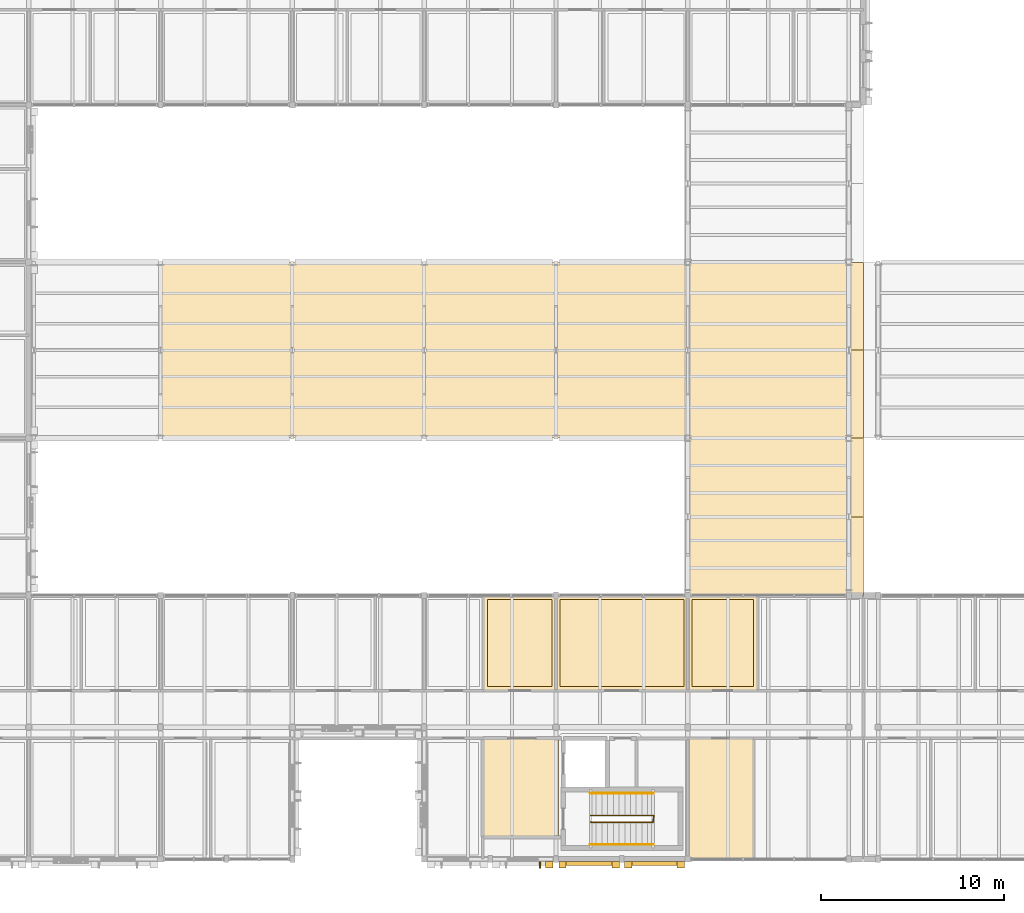
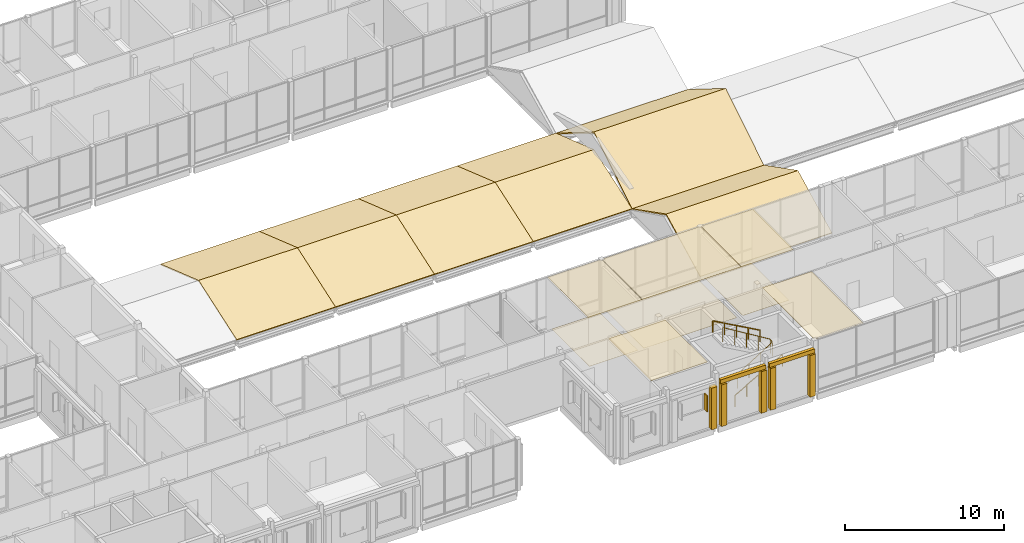
# One storey, part 106 of 115: 27 coverings, 3 railings, 1 shading device.
"""IFC4 building model written with IfcOpenShell, lengths in metres."""

from ifc_helpers import new_model, si_unit, direction, frame, origin, origin_2d, place, context, subcontext, project, spatial, polyline, rectangle, circle, outline, extrude, material, layer, layer_set, type_object, element, save


model = new_model("IFC4")

# Units and contexts
model_context = context("Model", 3, precision=1e-05, world=origin(), true_north=direction((0.0, 1.0)))
body_context = subcontext(model_context, "Body", "Model", "MODEL_VIEW")
ifc_project = project(units=[si_unit("LENGTHUNIT", "METRE"), si_unit("AREAUNIT", "SQUARE_METRE"), si_unit("VOLUMEUNIT", "CUBIC_METRE"), si_unit("PLANEANGLEUNIT", "RADIAN"), si_unit("MASSUNIT", "GRAM", prefix="KILO")], contexts=[model_context])

# Site, building, storey
site_placement = place(None, origin())
site = spatial("IfcSite", under=ifc_project, at=site_placement, CompositionType="ELEMENT")
building_placement = place(site_placement, origin())
building = spatial("IfcBuilding", under=site, at=building_placement, Name="Hawrajan Terrace Health Centre", CompositionType="ELEMENT")
storey_placement = place(building_placement, frame((0.0, 0.0, 9.0)))
storey = spatial("IfcBuildingStorey", under=building, at=storey_placement, Name="L02", CompositionType="ELEMENT", Elevation=9.0)

# Coverings
ifc_material_1 = material(Name="Precast concrete C40/50", Category="concrete")
ifc_layer_1 = layer(ifc_material_1, 0.219970703125)
ifc_layer_set_1 = layer_set([ifc_layer_1], Name="Precast concrete C40/50")
covering_type_1 = type_object("IfcCoveringType", Name="ArtDecoCorniceBand", PredefinedType="CLADDING", material=ifc_layer_set_1)
covering_1_placement = place(storey_placement, frame((56.81005859375, 3.955078125, 3.22021484375), z_axis=(0.0, 0.0, 1.0), x_axis=(1.0, 0.0, 0.0)))
element("IfcCovering", 1, at=covering_1_placement, inside=storey, type_object=covering_type_1, Name="Art Deco limestone cornice band CRN-L02-0134", PredefinedType="CLADDING", context=body_context, shape_type="SweptSolid", body=[
    extrude(rectangle(XDim=3.300048828125, YDim=0.219970703125, at=origin_2d()), origin(), (0.0, 0.0, 1.0), 0.300048828125),
])
covering_2_placement = place(storey_placement, frame((60.3798828125, 3.955078125, 3.22021484375), z_axis=(0.0, 0.0, 1.0), x_axis=(1.0, 0.0, 0.0)))
element("IfcCovering", 2, at=covering_2_placement, inside=storey, type_object=covering_type_1, Name="Art Deco limestone cornice band CRN-L02-0135", PredefinedType="CLADDING", context=body_context, shape_type="SweptSolid", body=[
    extrude(rectangle(XDim=3.280029296875, YDim=0.219970703125, at=origin_2d()), origin(), (0.0, 0.0, 1.0), 0.300048828125),
])
ifc_layer_2 = layer(ifc_material_1, 0.340087890625)
ifc_layer_set_2 = layer_set([ifc_layer_2], Name="Precast concrete C40/50")
covering_type_2 = type_object("IfcCoveringType", Name="ArtDecoStonePilaster", PredefinedType="CLADDING", material=ifc_layer_set_2)
for number, where, z_axis, x_axis, name in (
    (3, (54.639892578125, 3.89501953125, 0.0), (0.0, 0.0, 1.0), (1.0, 0.0, 0.0), "Art Deco fluted limestone pilaster FPIL-L02-0248"),
    (4, (55.360107421875, 3.89501953125, 0.0), (0.0, 0.0, 1.0), (1.0, 0.0, 0.0), "Art Deco fluted limestone pilaster FPIL-L02-0256"),
    (5, (58.260009765625, 3.89501953125, 0.0), (0.0, 0.0, 1.0), (1.0, 0.0, 0.0), "Art Deco fluted limestone pilaster FPIL-L02-0257"),
    (6, (58.93994140625, 3.89501953125, 0.0), (0.0, 0.0, 1.0), (1.0, 0.0, 0.0), "Art Deco fluted limestone pilaster FPIL-L02-0258"),
    (7, (61.820068359375, 3.89501953125, 0.0), (0.0, 0.0, 1.0), (1.0, 0.0, 0.0), "Art Deco fluted limestone pilaster FPIL-L02-0259"),
):
    element("IfcCovering", number, at=place(storey_placement, frame(where, z_axis=z_axis, x_axis=x_axis)), inside=storey, type_object=covering_type_2, Name=name, PredefinedType="CLADDING", context=body_context, shape_type="SweptSolid", body=[
        extrude(rectangle(XDim=0.39990234375, YDim=0.340087890625, at=origin_2d()), origin(), (0.0, 0.0, 1.0), 3.2099609375),
    ])
ifc_material_2 = material(Name="Hygienic mineral-fibre acoustic tile ceiling")
ifc_layer_3 = layer(ifc_material_2, 0.02490234375)
ifc_layer_set_3 = layer_set([ifc_layer_3], Name="Hygienic mineral-fibre acoustic tile ceiling")
covering_type_3 = type_object("IfcCoveringType", Name="ClinicalAcousticCeiling_25", PredefinedType="CEILING", material=ifc_layer_set_3)
covering_3_placement = place(storey_placement, frame((0.0, 0.0, 3.93505859375)))
element("IfcCovering", 8, at=covering_3_placement, inside=storey, type_object=covering_type_3, Name="Suspended ceiling L02-021", PredefinedType="CEILING", context=body_context, shape_type="SweptSolid", body=[
    extrude(outline(polyline([(51.02001953125, 5.419921875), (51.02001953125, 10.780029296875), (55.1298828125, 10.780029296875), (55.1298828125, 5.419921875), (51.02001953125, 5.419921875)])), origin(), (0.0, 0.0, 1.0), 0.02490234375),
])
covering_4_placement = place(storey_placement, frame((0.0, 0.0, 3.93505859375)))
element("IfcCovering", 9, at=covering_4_placement, inside=storey, type_object=covering_type_3, Name="Suspended ceiling L02-042", PredefinedType="CEILING", context=body_context, shape_type="SweptSolid", body=[
    extrude(outline(polyline([(62.219970703125, 10.780029296875), (65.780029296875, 10.780029296875), (65.780029296875, 4.219970703125), (62.219970703125, 4.219970703125), (62.219970703125, 10.780029296875)])), origin(), (0.0, 0.0, 1.0), 0.02490234375),
])
covering_5_placement = place(storey_placement, frame((0.0, 0.0, 3.93505859375)))
element("IfcCovering", 10, at=covering_5_placement, inside=storey, type_object=covering_type_3, Name="Suspended ceiling L02-084", PredefinedType="CEILING", context=body_context, shape_type="SweptSolid", body=[
    extrude(outline(polyline([(51.052734375, 18.580078125), (54.97998046875, 18.580078125), (54.97998046875, 13.419921875), (51.052734375, 13.419921875), (51.052734375, 18.580078125)])), origin(), (0.0, 0.0, 1.0), 0.02490234375),
])
covering_6_placement = place(storey_placement, frame((0.0, 0.0, 3.93505859375)))
element("IfcCovering", 11, at=covering_6_placement, inside=storey, type_object=covering_type_3, Name="Suspended ceiling L02-085", PredefinedType="CEILING", context=body_context, shape_type="SweptSolid", body=[
    extrude(outline(polyline([(55.02001953125, 18.580078125), (62.179931640625, 18.580078125), (62.179931640625, 13.419921875), (55.02001953125, 13.419921875), (55.02001953125, 18.580078125)])), origin(), (0.0, 0.0, 1.0), 0.02490234375),
])
covering_7_placement = place(storey_placement, frame((0.0, 0.0, 3.93505859375)))
element("IfcCovering", 12, at=covering_7_placement, inside=storey, type_object=covering_type_3, Name="Suspended ceiling L02-086", PredefinedType="CEILING", context=body_context, shape_type="SweptSolid", body=[
    extrude(outline(polyline([(62.219970703125, 18.580078125), (65.998779296875, 18.580078125), (65.998779296875, 13.419921875), (62.219970703125, 13.419921875), (62.219970703125, 18.580078125)])), origin(), (0.0, 0.0, 1.0), 0.02490234375),
])
ifc_material_3 = material(Name="Seamless medical-grade cushioned vinyl flooring")
ifc_layer_4 = layer(ifc_material_3, 0.011962890625)
ifc_layer_set_4 = layer_set([ifc_layer_4], Name="Seamless medical-grade cushioned vinyl flooring")
covering_type_4 = type_object("IfcCoveringType", Name="ClinicalVinylFlooring_12", PredefinedType="FLOORING", material=ifc_layer_set_4)
covering_8_placement = place(storey_placement, origin())
element("IfcCovering", 13, at=covering_8_placement, inside=storey, type_object=covering_type_4, Name="Floor finish L02-084", PredefinedType="FLOORING", context=body_context, shape_type="SweptSolid", body=[
    extrude(outline(polyline([(51.252685546875, 18.3798828125), (54.780029296875, 18.3798828125), (54.780029296875, 13.6201171875), (51.252685546875, 13.6201171875), (51.252685546875, 18.3798828125)])), origin(), (0.0, 0.0, 1.0), 0.011962890625),
])
covering_9_placement = place(storey_placement, origin())
element("IfcCovering", 14, at=covering_9_placement, inside=storey, type_object=covering_type_4, Name="Floor finish L02-085", PredefinedType="FLOORING", context=body_context, shape_type="SweptSolid", body=[
    extrude(outline(polyline([(55.219970703125, 18.3798828125), (61.97998046875, 18.3798828125), (61.97998046875, 13.6201171875), (55.219970703125, 13.6201171875), (55.219970703125, 18.3798828125)])), origin(), (0.0, 0.0, 1.0), 0.011962890625),
])
covering_10_placement = place(storey_placement, origin())
element("IfcCovering", 15, at=covering_10_placement, inside=storey, type_object=covering_type_4, Name="Floor finish L02-086", PredefinedType="FLOORING", context=body_context, shape_type="SweptSolid", body=[
    extrude(outline(polyline([(62.419921875, 18.3798828125), (65.798828125, 18.3798828125), (65.798828125, 13.6201171875), (62.419921875, 13.6201171875), (62.419921875, 18.3798828125)])), origin(), (0.0, 0.0, 1.0), 0.011962890625),
])

# Shading device
ifc_material_4 = material(Name="Anodized bronze mashrabiya vertical solar fin")
ifc_layer_5 = layer(ifc_material_4, 0.080078125)
ifc_layer_set_5 = layer_set([ifc_layer_5], Name="Anodized bronze mashrabiya vertical solar fin")
shading_device_type = type_object("IfcShadingDeviceType", Name="MashrabiyaVerticalFin", PredefinedType="USERDEFINED", material=ifc_layer_set_5)
shading_device_placement = place(storey_placement, frame((54.1201171875, 3.885009765625, 1.5), z_axis=(0.0, 0.0, 1.0), x_axis=(1.0, 0.0, 0.0)))
element("IfcShadingDevice", 16, at=shading_device_placement, inside=storey, type_object=shading_device_type, Name="Bronze mashrabiya solar fin FIN-L02-0175", ObjectType="SOLAR_FIN", PredefinedType="USERDEFINED", context=body_context, shape_type="SweptSolid", body=[
    extrude(rectangle(XDim=0.080078125, YDim=0.360107421875, at=origin_2d()), origin(), (0.0, 0.0, 1.0), 1.25),
])

# Railings
ifc_material_5 = material(Name="Brushed stainless steel tubular handrail", Category="steel")
railing_type_1 = type_object("IfcRailingType", Name="StairHandrail_900", PredefinedType="HANDRAIL", material=ifc_material_5)
railing_1_placement = place(storey_placement, frame((56.875, 5.0, 0.175048828125)))
element("IfcRailing", 17, at=railing_1_placement, inside=storey, type_object=railing_type_1, Name="Stair handrail ST-4-L02-H1", PredefinedType="HANDRAIL", context=body_context, shape_type="SweptSolid", body=[
    extrude(circle(Radius=0.02392578125, at=origin_2d()), frame((0.025146484375, 0.0, 0.889892578125), z_axis=(0.873252128816, 0.0, 0.487268631782), x_axis=(0.0, 1.0, 0.0)), (0.0, 0.0, 1.0), 3.89306640625),
    extrude(circle(Radius=0.02099609375, at=origin_2d()), origin(), (0.0, 0.0, 1.0), 0.846923828125),
    extrude(circle(Radius=0.02099609375, at=origin_2d()), frame((0.862548828125, 0.0, 0.481201171875)), (0.0, 0.0, 1.0), 0.846923828125),
    extrude(circle(Radius=0.02099609375, at=origin_2d()), frame((1.72509765625, 0.0, 0.96240234375)), (0.0, 0.0, 1.0), 0.846923828125),
    extrude(circle(Radius=0.02099609375, at=origin_2d()), frame((2.58740234375, 0.0, 1.44384765625)), (0.0, 0.0, 1.0), 0.846923828125),
    extrude(circle(Radius=0.02099609375, at=origin_2d()), frame((3.449951171875, 0.0, 1.925048828125)), (0.0, 0.0, 1.0), 0.846923828125),
])
railing_2_placement = place(storey_placement, frame((60.324951171875, 7.800048828125, 2.27490234375)))
element("IfcRailing", 18, at=railing_2_placement, inside=storey, type_object=railing_type_1, Name="Stair handrail ST-4-L02-H2", PredefinedType="HANDRAIL", context=body_context, shape_type="SweptSolid", body=[
    extrude(circle(Radius=0.02392578125, at=origin_2d()), frame((-0.025146484375, 0.0, 0.889892578125), z_axis=(-0.873252128816, 0.0, 0.487268631782), x_axis=(0.0, -1.0, 0.0)), (0.0, 0.0, 1.0), 3.89306640625),
    extrude(circle(Radius=0.02099609375, at=origin_2d()), origin(), (0.0, 0.0, 1.0), 0.846923828125),
    extrude(circle(Radius=0.02099609375, at=origin_2d()), frame((-0.862548828125, 0.0, 0.481201171875)), (0.0, 0.0, 1.0), 0.846923828125),
    extrude(circle(Radius=0.02099609375, at=origin_2d()), frame((-1.72509765625, 0.0, 0.96240234375)), (0.0, 0.0, 1.0), 0.846923828125),
    extrude(circle(Radius=0.02099609375, at=origin_2d()), frame((-2.58740234375, 0.0, 1.44384765625)), (0.0, 0.0, 1.0), 0.846923828125),
    extrude(circle(Radius=0.02099609375, at=origin_2d()), frame((-3.449951171875, 0.0, 1.925048828125)), (0.0, 0.0, 1.0), 0.846923828125),
])
ifc_material_6 = material(Name="Painted steel stair well guard", Category="steel")
railing_type_2 = type_object("IfcRailingType", Name="StairWellGuard_1120", PredefinedType="GUARDRAIL", material=ifc_material_6)
railing_3_placement = place(storey_placement, frame((56.89990234375, 6.219970703125, 0.0)))
element("IfcRailing", 19, at=railing_3_placement, inside=storey, type_object=railing_type_2, Name="Stair well guard ST-4-L02-G1", PredefinedType="GUARDRAIL", context=body_context, shape_type="SweptSolid", body=[
    extrude(circle(Radius=0.02392578125, at=origin_2d()), frame((0.024658203125, 0.0, 1.111328125), z_axis=(0.850797194049, 0.0, 0.525494181317), x_axis=(0.0, 1.0, 0.0)), (0.0, 0.0, 1.0), 3.938720703125),
    extrude(circle(Radius=0.02392578125, at=origin_2d()), frame((3.404052734375, 0.028564453125, 3.1962890625), z_axis=(0.137659871128, 0.990479560557, 0.0), x_axis=(-0.990479560557, 0.137659871128, 0.0)), (0.0, 0.0, 1.0), 0.305908203125),
    extrude(circle(Radius=0.02392578125, at=origin_2d()), frame((3.425537109375, 0.360107421875, 3.211181640625), z_axis=(-0.854227735263, 0.0, 0.519899005873), x_axis=(0.0, -1.0, 0.0)), (0.0, 0.0, 1.0), 3.981201171875),
    extrude(circle(Radius=0.02099609375, at=origin_2d()), origin(), (0.0, 0.0, 1.0), 1.067138671875),
    extrude(circle(Radius=0.02099609375, at=origin_2d()), frame((0.85009765625, 0.0, 0.52490234375)), (0.0, 0.0, 1.0), 1.067138671875),
    extrude(circle(Radius=0.02099609375, at=origin_2d()), frame((1.7001953125, 0.0, 1.050048828125)), (0.0, 0.0, 1.0), 1.067138671875),
    extrude(circle(Radius=0.02099609375, at=origin_2d()), frame((2.550048828125, 0.0, 1.5751953125)), (0.0, 0.0, 1.0), 1.067138671875),
    extrude(circle(Radius=0.02099609375, at=origin_2d()), frame((3.400146484375, 0.0, 2.10009765625)), (0.0, 0.0, 1.0), 1.067138671875),
    extrude(circle(Radius=0.02099609375, at=origin_2d()), frame((3.4501953125, 0.360107421875, 2.10009765625)), (0.0, 0.0, 1.0), 1.067138671875),
    extrude(circle(Radius=0.02099609375, at=origin_2d()), frame((2.587646484375, 0.360107421875, 2.625)), (0.0, 0.0, 1.0), 1.067138671875),
    extrude(circle(Radius=0.02099609375, at=origin_2d()), frame((1.72509765625, 0.360107421875, 3.14990234375)), (0.0, 0.0, 1.0), 1.067138671875),
    extrude(circle(Radius=0.02099609375, at=origin_2d()), frame((0.862548828125, 0.360107421875, 3.675048828125)), (0.0, 0.0, 1.0), 1.067138671875),
    extrude(circle(Radius=0.02099609375, at=origin_2d()), frame((0.0, 0.360107421875, 4.199951171875)), (0.0, 0.0, 1.0), 1.067138671875),
])

# Coverings
ifc_material_7 = material(Name="Standing-seam zinc roofing and PIR insulation")
ifc_layer_6 = layer(ifc_material_7, 0.0849609375)
ifc_layer_set_6 = layer_set([ifc_layer_6], Name="Standing-seam zinc roofing and PIR insulation")
covering_type_5 = type_object("IfcCoveringType", Name="StandingSeamZinc_Roofing", PredefinedType="ROOFING", material=ifc_layer_set_6)
for number, where, z_axis, x_axis, name in (
    (20, (33.39990234375, 27.199951171875, 0.0849609375), (0.0, -0.325102620796, 0.945678743523), (1.0, 0.0, 0.0), "Standing-seam zinc roof RF-V1-05-TRS-S"),
    (21, (33.39990234375, 32.0, 1.735107421875), (0.0, 0.325102620796, 0.945678743523), (1.0, 0.0, 0.0), "Standing-seam zinc roof RF-V1-05-TRS-N"),
):
    element("IfcCovering", number, at=place(storey_placement, frame(where, z_axis=z_axis, x_axis=x_axis)), inside=storey, type_object=covering_type_5, Name=name, PredefinedType="ROOFING", context=body_context, shape_type="SweptSolid", body=[
        extrude(outline(polyline([(0.0, 0.0), (7.2001953125, 0.0), (7.2001953125, 5.07577109139876), (0.0, 5.07577109139876), (0.0, 0.0)])), origin(), (0.0, 0.0, -1.0), 0.0849609375),
    ])
for number, where, z_axis, x_axis, name in (
    (22, (40.60009765625, 27.199951171875, 0.0849609375), (0.0, -0.325102620796, 0.945678743523), (1.0, 0.0, 0.0), "Standing-seam zinc roof RF-V1-06-TRS-S"),
    (23, (40.60009765625, 32.0, 1.735107421875), (0.0, 0.325102620796, 0.945678743523), (1.0, 0.0, 0.0), "Standing-seam zinc roof RF-V1-06-TRS-N"),
    (24, (47.800048828125, 27.199951171875, 0.0849609375), (0.0, -0.325102620796, 0.945678743523), (1.0, 0.0, 0.0), "Standing-seam zinc roof RF-V1-07-TRS-S"),
    (25, (47.800048828125, 32.0, 1.735107421875), (0.0, 0.325102620796, 0.945678743523), (1.0, 0.0, 0.0), "Standing-seam zinc roof RF-V1-07-TRS-N"),
    (26, (55.0, 27.199951171875, 0.0849609375), (0.0, -0.325102620796, 0.945678743523), (1.0, 0.0, 0.0), "Standing-seam zinc roof RF-V1-08-TRS-S"),
    (27, (55.0, 32.0, 1.735107421875), (0.0, 0.325102620796, 0.945678743523), (1.0, 0.0, 0.0), "Standing-seam zinc roof RF-V1-08-TRS-N"),
):
    element("IfcCovering", number, at=place(storey_placement, frame(where, z_axis=z_axis, x_axis=x_axis)), inside=storey, type_object=covering_type_5, Name=name, PredefinedType="ROOFING", context=body_context, shape_type="SweptSolid", body=[
        extrude(outline(polyline([(0.0, 0.0), (7.199951171875, 0.0), (7.199951171875, 5.075771091398761), (0.0, 5.075771091398761), (0.0, 0.0)])), origin(), (0.0, 0.0, -1.0), 0.0849609375),
    ])
covering_11_placement = place(storey_placement, frame((62.199951171875, 18.60009765625, 0.0849609375), z_axis=(0.0, -0.455484189168, 0.890243873002), x_axis=(1.0, 0.0, 0.0)))
element("IfcCovering", 28, at=covering_11_placement, inside=storey, type_object=covering_type_5, Name="Standing-seam zinc roof RF-V1-09-TRL-SC-S", PredefinedType="ROOFING", context=body_context, shape_type="SweptSolid", body=[
    extrude(outline(polyline([(0.0, 0.0), (9.594970703125, 0.0), (9.594970703125, 4.82991775388372), (0.0, 4.82991775388372), (0.0, 0.0)])), origin(), (0.0, 0.0, -1.0), 0.0849609375),
])
covering_12_placement = place(storey_placement, frame((62.199951171875, 22.89990234375, 2.284912109375), z_axis=(0.0, 0.455463693332, 0.89025435919), x_axis=(1.0, 0.0, 0.0)))
element("IfcCovering", 29, at=covering_12_placement, inside=storey, type_object=covering_type_5, Name="Standing-seam zinc roof RF-V1-09-TRL-SC-N", PredefinedType="ROOFING", context=body_context, shape_type="SweptSolid", body=[
    extrude(outline(polyline([(0.0, 0.0), (9.594970703125, 0.0), (9.594970703125, 4.830135099859358), (0.0, 4.830135099859358), (0.0, 0.0)])), origin(), (0.0, 0.0, -1.0), 0.0849609375),
])
for number, where, z_axis, x_axis, name in (
    (30, (62.199951171875, 27.199951171875, 0.0849609375), (0.0, -0.529995063044, 0.848000727092), (1.0, 0.0, 0.0), "Standing-seam zinc roof RF-V1-09-TRL-M-S"),
    (31, (62.199951171875, 32.0, 3.0849609375), (0.0, 0.529995063044, 0.848000727092), (1.0, 0.0, 0.0), "Standing-seam zinc roof RF-V1-09-TRL-M-N"),
):
    element("IfcCovering", number, at=place(storey_placement, frame(where, z_axis=z_axis, x_axis=x_axis)), inside=storey, type_object=covering_type_5, Name=name, PredefinedType="ROOFING", context=body_context, shape_type="SweptSolid", body=[
        extrude(outline(polyline([(0.0, 0.0), (9.594970703125, 0.0), (9.594970703125, 5.660430085460307), (0.0, 5.660430085460307), (0.0, 0.0)])), origin(), (0.0, 0.0, -1.0), 0.0849609375),
    ])

save(model, "model.ifc")
